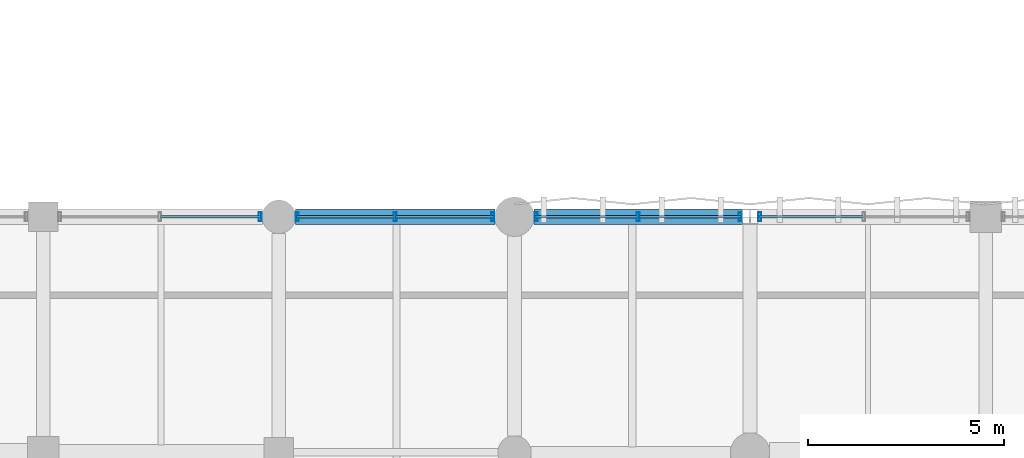
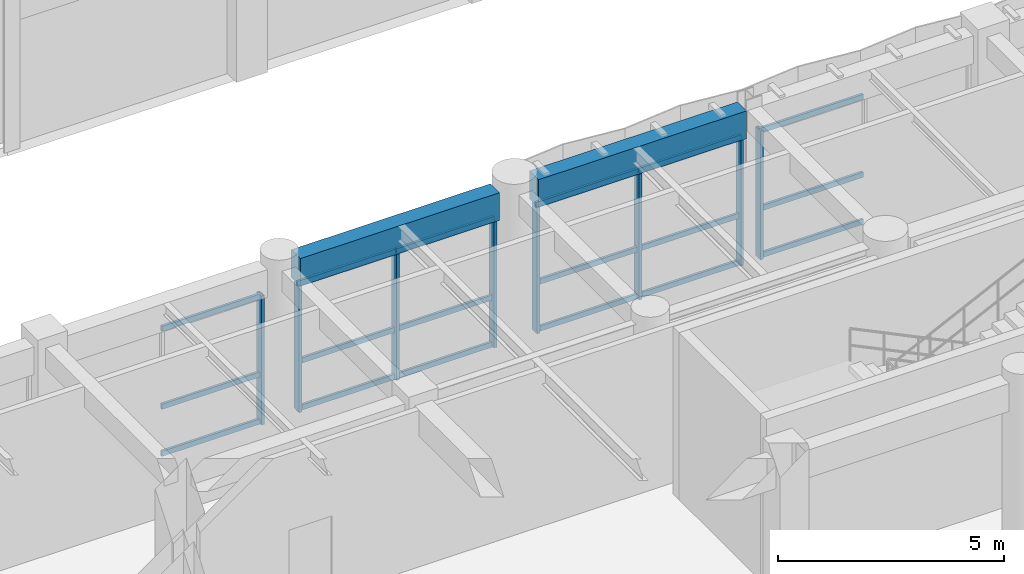
# One storey, part 41 of 133: 26 members, 2 beams, 4 elements without a shape of their own.
"""IFC4 building model written with IfcOpenShell, lengths in metres."""

from ifc_helpers import new_model, si_unit, direction, frame, origin, origin_2d, place, context, subcontext, project, spatial, rectangle, hollow_rectangle, extrude, material, material_profile, profile_set, type_object, element, aggregate, save


model = new_model("IFC4")

# Units and contexts
model_context = context("Model", 3, precision=1e-05, world=origin(), true_north=direction((0.0, 1.0)))
body_context = subcontext(model_context, "Body", "Model", "MODEL_VIEW")
ifc_project = project(units=[si_unit("LENGTHUNIT", "METRE"), si_unit("AREAUNIT", "SQUARE_METRE"), si_unit("VOLUMEUNIT", "CUBIC_METRE"), si_unit("PLANEANGLEUNIT", "RADIAN"), si_unit("MASSUNIT", "GRAM", prefix="KILO"), si_unit("THERMODYNAMICTEMPERATUREUNIT", "KELVIN"), si_unit("POWERUNIT", "WATT")], contexts=[model_context])

# Site, building, storey
site_placement = place(None, origin())
site = spatial("IfcSite", under=ifc_project, at=site_placement, CompositionType="ELEMENT")
building_placement = place(site_placement, origin())
building = spatial("IfcBuilding", under=site, at=building_placement, Name="Phaisarnlok Congress Hotel", CompositionType="ELEMENT")
storey_placement = place(building_placement, frame((0.0, 0.0, 6.0)))
storey = spatial("IfcBuildingStorey", under=building, at=storey_placement, Name="L01", CompositionType="ELEMENT", Elevation=6.0)

# Curtain wall, member
ifc_material_1 = material(Name="Thermally Broken Unitised Aluminium & Low-E Glazing", Category="aluminium")
curtain_wall_type_1 = type_object("IfcCurtainWallType", Name="CW-UNIT-14", PredefinedType="NOTDEFINED", material=ifc_material_1)
curtain_wall_1_placement = place(storey_placement, origin())
curtain_wall_1 = element("IfcCurtainWall", 1, at=curtain_wall_1_placement, inside=storey, type_object=curtain_wall_type_1, Name="Unitised curtain wall CW-14 (L01)", PredefinedType="NOTDEFINED")
ifc_material_2 = material(Name="Anodised Aluminium Alloy 6063-T6", Category="aluminium")
ifc_material_profile_1 = material_profile(ifc_material_2, hollow_rectangle(XDim=0.074951171875, YDim=0.219970703125, WallThickness=0.0048828125, at=origin_2d()), Name="ALU-M 75x220x5")
ifc_profile_set_1 = profile_set([ifc_material_profile_1], Name="Anodised Aluminium Alloy 6063-T6")
member_type_1 = type_object("IfcMemberType", Name="CWM-220", PredefinedType="MULLION", material=ifc_profile_set_1)
member_1_placement = place(storey_placement, frame((78.25048828125, 96.0, 0.0), z_axis=(0.0, 0.0, 1.0), x_axis=(-1.0, 0.0, 0.0)))
member_1 = element("IfcMember", 2, at=member_1_placement, type_object=member_type_1, Name="Curtain wall mullion CWM-02", PredefinedType="MULLION", context=body_context, shape_type="SweptSolid", body=[
    extrude(hollow_rectangle(XDim=0.074951171875, YDim=0.219970703125, WallThickness=0.0048828125, at=origin_2d()), origin(), (0.0, 0.0, 1.0), 3.469970703125),
])

# Curtain wall, members
curtain_wall_type_2 = type_object("IfcCurtainWallType", Name="CW-UNIT-13", PredefinedType="NOTDEFINED", material=ifc_material_1)
curtain_wall_2_placement = place(storey_placement, origin())
curtain_wall_2 = element("IfcCurtainWall", 3, at=curtain_wall_2_placement, inside=storey, type_object=curtain_wall_type_2, Name="Unitised curtain wall CW-13 (L01)", PredefinedType="NOTDEFINED")
member_2_placement = place(storey_placement, frame((77.74951171875, 96.0, 0.0), z_axis=(0.0, 0.0, 1.0), x_axis=(-1.0, 0.0, 0.0)))
member_2 = element("IfcMember", 4, at=member_2_placement, type_object=member_type_1, Name="Curtain wall mullion CWM-02", PredefinedType="MULLION", context=body_context, shape_type="SweptSolid", body=[
    extrude(hollow_rectangle(XDim=0.074951171875, YDim=0.219970703125, WallThickness=0.0048828125, at=origin_2d()), origin(), (0.0, 0.0, 1.0), 3.469970703125),
])
member_3_placement = place(storey_placement, frame((75.149658203125, 96.0, 0.0), z_axis=(0.0, 0.0, 1.0), x_axis=(-1.0, 0.0, 0.0)))
member_3 = element("IfcMember", 5, at=member_3_placement, type_object=member_type_1, Name="Curtain wall mullion CWM-02", PredefinedType="MULLION", context=body_context, shape_type="SweptSolid", body=[
    extrude(hollow_rectangle(XDim=0.074951171875, YDim=0.219970703125, WallThickness=0.0048828125, at=origin_2d()), origin(), (0.0, 0.0, 1.0), 3.469970703125),
])
member_4_placement = place(storey_placement, frame((72.550048828125, 96.0, 0.0), z_axis=(0.0, 0.0, 1.0), x_axis=(-1.0, 0.0, 0.0)))
member_4 = element("IfcMember", 6, at=member_4_placement, type_object=member_type_1, Name="Curtain wall mullion CWM-02", PredefinedType="MULLION", context=body_context, shape_type="SweptSolid", body=[
    extrude(hollow_rectangle(XDim=0.074951171875, YDim=0.219970703125, WallThickness=0.0048828125, at=origin_2d()), origin(), (0.0, 0.0, 1.0), 3.469970703125),
])

curtain_wall_type_3 = type_object("IfcCurtainWallType", Name="CW-UNIT-12", PredefinedType="NOTDEFINED", material=ifc_material_1)
curtain_wall_3_placement = place(storey_placement, origin())
curtain_wall_3 = element("IfcCurtainWall", 7, at=curtain_wall_3_placement, inside=storey, type_object=curtain_wall_type_3, Name="Unitised curtain wall CW-12 (L01)", PredefinedType="NOTDEFINED")
member_5_placement = place(storey_placement, frame((71.449951171875, 96.0, 0.0), z_axis=(0.0, 0.0, 1.0), x_axis=(-1.0, 0.0, 0.0)))
member_5 = element("IfcMember", 8, at=member_5_placement, type_object=member_type_1, Name="Curtain wall mullion CWM-02", PredefinedType="MULLION", context=body_context, shape_type="SweptSolid", body=[
    extrude(hollow_rectangle(XDim=0.074951171875, YDim=0.219970703125, WallThickness=0.0048828125, at=origin_2d()), origin(), (0.0, 0.0, 1.0), 3.469970703125),
])
member_6_placement = place(storey_placement, frame((68.96240234375, 96.0, 0.0), z_axis=(0.0, 0.0, 1.0), x_axis=(-1.0, 0.0, 0.0)))
member_6 = element("IfcMember", 9, at=member_6_placement, type_object=member_type_1, Name="Curtain wall mullion CWM-02", PredefinedType="MULLION", context=body_context, shape_type="SweptSolid", body=[
    extrude(hollow_rectangle(XDim=0.074951171875, YDim=0.219970703125, WallThickness=0.0048828125, at=origin_2d()), origin(), (0.0, 0.0, 1.0), 3.469970703125),
])
member_7_placement = place(storey_placement, frame((66.47509765625, 96.0, 0.0), z_axis=(0.0, 0.0, 1.0), x_axis=(-1.0, 0.0, 0.0)))
member_7 = element("IfcMember", 10, at=member_7_placement, type_object=member_type_1, Name="Curtain wall mullion CWM-02", PredefinedType="MULLION", context=body_context, shape_type="SweptSolid", body=[
    extrude(hollow_rectangle(XDim=0.074951171875, YDim=0.219970703125, WallThickness=0.0048828125, at=origin_2d()), origin(), (0.0, 0.0, 1.0), 3.469970703125),
])

# Curtain wall, member
curtain_wall_type_4 = type_object("IfcCurtainWallType", Name="CW-UNIT-15", PredefinedType="NOTDEFINED", material=ifc_material_1)
curtain_wall_4_placement = place(storey_placement, origin())
curtain_wall_4 = element("IfcCurtainWall", 11, at=curtain_wall_4_placement, inside=storey, type_object=curtain_wall_type_4, Name="Unitised curtain wall CW-15 (L01)", PredefinedType="NOTDEFINED")
member_8_placement = place(storey_placement, frame((65.52490234375, 96.0, 0.0), z_axis=(0.0, 0.0, 1.0), x_axis=(-1.0, 0.0, 0.0)))
member_8 = element("IfcMember", 12, at=member_8_placement, type_object=member_type_1, Name="Curtain wall mullion CWM-02", PredefinedType="MULLION", context=body_context, shape_type="SweptSolid", body=[
    extrude(hollow_rectangle(XDim=0.074951171875, YDim=0.219970703125, WallThickness=0.0048828125, at=origin_2d()), origin(), (0.0, 0.0, 1.0), 3.469970703125),
])

# Member
ifc_material_profile_2 = material_profile(ifc_material_2, hollow_rectangle(XDim=0.06494140625, YDim=0.139892578125, WallThickness=0.00390625, at=origin_2d()), Name="ALU-T 65x140x4")
ifc_profile_set_2 = profile_set([ifc_material_profile_2], Name="Anodised Aluminium Alloy 6063-T6")
member_type_2 = type_object("IfcMemberType", Name="CWT-150", PredefinedType="USERDEFINED", material=ifc_profile_set_2)
member_9_placement = place(storey_placement, frame((80.88525390625, 96.0, 0.050048828125), z_axis=(-1.0, 0.0, 0.0), x_axis=(0.0, -1.0, 0.0)))
member_9 = element("IfcMember", 13, at=member_9_placement, type_object=member_type_2, Name="Curtain wall transom CWT-01", ObjectType="TRANSOM", PredefinedType="USERDEFINED", context=body_context, shape_type="SweptSolid", body=[
    extrude(hollow_rectangle(XDim=0.06494140625, YDim=0.139892578125, WallThickness=0.00390625, at=origin_2d()), origin(), (0.0, 0.0, 1.0), 2.65966796875),
])

member_10_placement = place(storey_placement, frame((80.88525390625, 96.0, 1.318603515625), z_axis=(-1.0, 0.0, 0.0), x_axis=(0.0, -1.0, 0.0)))
member_10 = element("IfcMember", 14, at=member_10_placement, type_object=member_type_2, Name="Curtain wall transom CWT-01", ObjectType="TRANSOM", PredefinedType="USERDEFINED", context=body_context, shape_type="SweptSolid", body=[
    extrude(hollow_rectangle(XDim=0.06494140625, YDim=0.139892578125, WallThickness=0.00390625, at=origin_2d()), origin(), (0.0, 0.0, 1.0), 2.65966796875),
])

member_11_placement = place(storey_placement, frame((80.88525390625, 96.0, 3.419921875), z_axis=(-1.0, 0.0, 0.0), x_axis=(0.0, -1.0, 0.0)))
member_11 = element("IfcMember", 15, at=member_11_placement, type_object=member_type_2, Name="Curtain wall transom CWT-01", ObjectType="TRANSOM", PredefinedType="USERDEFINED", context=body_context, shape_type="SweptSolid", body=[
    extrude(hollow_rectangle(XDim=0.06494140625, YDim=0.139892578125, WallThickness=0.00390625, at=origin_2d()), origin(), (0.0, 0.0, 1.0), 2.65966796875),
])

aggregate(curtain_wall_1, [member_1, member_9, member_10, member_11])

member_12_placement = place(storey_placement, frame((77.7744140625, 96.0, 0.050048828125), z_axis=(-1.0, 0.0, 0.0), x_axis=(0.0, -1.0, 0.0)))
member_12 = element("IfcMember", 16, at=member_12_placement, type_object=member_type_2, Name="Curtain wall transom CWT-01", ObjectType="TRANSOM", PredefinedType="USERDEFINED", context=body_context, shape_type="SweptSolid", body=[
    extrude(hollow_rectangle(XDim=0.06494140625, YDim=0.139892578125, WallThickness=0.00390625, at=origin_2d()), origin(), (0.0, 0.0, 1.0), 2.609619140625),
])

member_13_placement = place(storey_placement, frame((77.7744140625, 96.0, 1.318603515625), z_axis=(-1.0, 0.0, 0.0), x_axis=(0.0, -1.0, 0.0)))
member_13 = element("IfcMember", 17, at=member_13_placement, type_object=member_type_2, Name="Curtain wall transom CWT-01", ObjectType="TRANSOM", PredefinedType="USERDEFINED", context=body_context, shape_type="SweptSolid", body=[
    extrude(hollow_rectangle(XDim=0.06494140625, YDim=0.139892578125, WallThickness=0.00390625, at=origin_2d()), origin(), (0.0, 0.0, 1.0), 2.609619140625),
])

member_14_placement = place(storey_placement, frame((77.7744140625, 96.0, 3.419921875), z_axis=(-1.0, 0.0, 0.0), x_axis=(0.0, -1.0, 0.0)))
member_14 = element("IfcMember", 18, at=member_14_placement, type_object=member_type_2, Name="Curtain wall transom CWT-01", ObjectType="TRANSOM", PredefinedType="USERDEFINED", context=body_context, shape_type="SweptSolid", body=[
    extrude(hollow_rectangle(XDim=0.06494140625, YDim=0.139892578125, WallThickness=0.00390625, at=origin_2d()), origin(), (0.0, 0.0, 1.0), 2.609619140625),
])

member_15_placement = place(storey_placement, frame((75.134765625, 96.0, 0.050048828125), z_axis=(-1.0, 0.0, 0.0), x_axis=(0.0, -1.0, 0.0)))
member_15 = element("IfcMember", 19, at=member_15_placement, type_object=member_type_2, Name="Curtain wall transom CWT-01", ObjectType="TRANSOM", PredefinedType="USERDEFINED", context=body_context, shape_type="SweptSolid", body=[
    extrude(hollow_rectangle(XDim=0.06494140625, YDim=0.139892578125, WallThickness=0.00390625, at=origin_2d()), origin(), (0.0, 0.0, 1.0), 2.60986328125),
])

member_16_placement = place(storey_placement, frame((75.134765625, 96.0, 1.318603515625), z_axis=(-1.0, 0.0, 0.0), x_axis=(0.0, -1.0, 0.0)))
member_16 = element("IfcMember", 20, at=member_16_placement, type_object=member_type_2, Name="Curtain wall transom CWT-01", ObjectType="TRANSOM", PredefinedType="USERDEFINED", context=body_context, shape_type="SweptSolid", body=[
    extrude(hollow_rectangle(XDim=0.06494140625, YDim=0.139892578125, WallThickness=0.00390625, at=origin_2d()), origin(), (0.0, 0.0, 1.0), 2.60986328125),
])

member_17_placement = place(storey_placement, frame((75.134765625, 96.0, 3.419921875), z_axis=(-1.0, 0.0, 0.0), x_axis=(0.0, -1.0, 0.0)))
member_17 = element("IfcMember", 21, at=member_17_placement, type_object=member_type_2, Name="Curtain wall transom CWT-01", ObjectType="TRANSOM", PredefinedType="USERDEFINED", context=body_context, shape_type="SweptSolid", body=[
    extrude(hollow_rectangle(XDim=0.06494140625, YDim=0.139892578125, WallThickness=0.00390625, at=origin_2d()), origin(), (0.0, 0.0, 1.0), 2.60986328125),
])

aggregate(curtain_wall_2, [member_2, member_3, member_4, member_12, member_13, member_14, member_15, member_16, member_17])

member_18_placement = place(storey_placement, frame((71.47509765625, 96.0, 0.050048828125), z_axis=(-1.0, 0.0, 0.0), x_axis=(0.0, -1.0, 0.0)))
member_18 = element("IfcMember", 22, at=member_18_placement, type_object=member_type_2, Name="Curtain wall transom CWT-01", ObjectType="TRANSOM", PredefinedType="USERDEFINED", context=body_context, shape_type="SweptSolid", body=[
    extrude(hollow_rectangle(XDim=0.06494140625, YDim=0.139892578125, WallThickness=0.00390625, at=origin_2d()), origin(), (0.0, 0.0, 1.0), 2.49755859375),
])

member_19_placement = place(storey_placement, frame((71.47509765625, 96.0, 1.318603515625), z_axis=(-1.0, 0.0, 0.0), x_axis=(0.0, -1.0, 0.0)))
member_19 = element("IfcMember", 23, at=member_19_placement, type_object=member_type_2, Name="Curtain wall transom CWT-01", ObjectType="TRANSOM", PredefinedType="USERDEFINED", context=body_context, shape_type="SweptSolid", body=[
    extrude(hollow_rectangle(XDim=0.06494140625, YDim=0.139892578125, WallThickness=0.00390625, at=origin_2d()), origin(), (0.0, 0.0, 1.0), 2.49755859375),
])

member_20_placement = place(storey_placement, frame((71.47509765625, 96.0, 3.419921875), z_axis=(-1.0, 0.0, 0.0), x_axis=(0.0, -1.0, 0.0)))
member_20 = element("IfcMember", 24, at=member_20_placement, type_object=member_type_2, Name="Curtain wall transom CWT-01", ObjectType="TRANSOM", PredefinedType="USERDEFINED", context=body_context, shape_type="SweptSolid", body=[
    extrude(hollow_rectangle(XDim=0.06494140625, YDim=0.139892578125, WallThickness=0.00390625, at=origin_2d()), origin(), (0.0, 0.0, 1.0), 2.49755859375),
])

member_21_placement = place(storey_placement, frame((68.947509765625, 96.0, 0.050048828125), z_axis=(-1.0, 0.0, 0.0), x_axis=(0.0, -1.0, 0.0)))
member_21 = element("IfcMember", 25, at=member_21_placement, type_object=member_type_2, Name="Curtain wall transom CWT-01", ObjectType="TRANSOM", PredefinedType="USERDEFINED", context=body_context, shape_type="SweptSolid", body=[
    extrude(hollow_rectangle(XDim=0.06494140625, YDim=0.139892578125, WallThickness=0.00390625, at=origin_2d()), origin(), (0.0, 0.0, 1.0), 2.49755859375),
])

member_22_placement = place(storey_placement, frame((68.947509765625, 96.0, 1.318603515625), z_axis=(-1.0, 0.0, 0.0), x_axis=(0.0, -1.0, 0.0)))
member_22 = element("IfcMember", 26, at=member_22_placement, type_object=member_type_2, Name="Curtain wall transom CWT-01", ObjectType="TRANSOM", PredefinedType="USERDEFINED", context=body_context, shape_type="SweptSolid", body=[
    extrude(hollow_rectangle(XDim=0.06494140625, YDim=0.139892578125, WallThickness=0.00390625, at=origin_2d()), origin(), (0.0, 0.0, 1.0), 2.49755859375),
])

member_23_placement = place(storey_placement, frame((68.947509765625, 96.0, 3.419921875), z_axis=(-1.0, 0.0, 0.0), x_axis=(0.0, -1.0, 0.0)))
member_23 = element("IfcMember", 27, at=member_23_placement, type_object=member_type_2, Name="Curtain wall transom CWT-01", ObjectType="TRANSOM", PredefinedType="USERDEFINED", context=body_context, shape_type="SweptSolid", body=[
    extrude(hollow_rectangle(XDim=0.06494140625, YDim=0.139892578125, WallThickness=0.00390625, at=origin_2d()), origin(), (0.0, 0.0, 1.0), 2.49755859375),
])

aggregate(curtain_wall_3, [member_5, member_6, member_7, member_18, member_19, member_20, member_21, member_22, member_23])

member_24_placement = place(storey_placement, frame((65.550048828125, 96.0, 0.050048828125), z_axis=(-1.0, 0.0, 0.0), x_axis=(0.0, -1.0, 0.0)))
member_24 = element("IfcMember", 28, at=member_24_placement, type_object=member_type_2, Name="Curtain wall transom CWT-01", ObjectType="TRANSOM", PredefinedType="USERDEFINED", context=body_context, shape_type="SweptSolid", body=[
    extrude(hollow_rectangle(XDim=0.06494140625, YDim=0.139892578125, WallThickness=0.00390625, at=origin_2d()), origin(), (0.0, 0.0, 1.0), 2.56005859375),
])

member_25_placement = place(storey_placement, frame((65.550048828125, 96.0, 1.318603515625), z_axis=(-1.0, 0.0, 0.0), x_axis=(0.0, -1.0, 0.0)))
member_25 = element("IfcMember", 29, at=member_25_placement, type_object=member_type_2, Name="Curtain wall transom CWT-01", ObjectType="TRANSOM", PredefinedType="USERDEFINED", context=body_context, shape_type="SweptSolid", body=[
    extrude(hollow_rectangle(XDim=0.06494140625, YDim=0.139892578125, WallThickness=0.00390625, at=origin_2d()), origin(), (0.0, 0.0, 1.0), 2.56005859375),
])

member_26_placement = place(storey_placement, frame((65.550048828125, 96.0, 3.419921875), z_axis=(-1.0, 0.0, 0.0), x_axis=(0.0, -1.0, 0.0)))
member_26 = element("IfcMember", 30, at=member_26_placement, type_object=member_type_2, Name="Curtain wall transom CWT-01", ObjectType="TRANSOM", PredefinedType="USERDEFINED", context=body_context, shape_type="SweptSolid", body=[
    extrude(hollow_rectangle(XDim=0.06494140625, YDim=0.139892578125, WallThickness=0.00390625, at=origin_2d()), origin(), (0.0, 0.0, 1.0), 2.56005859375),
])

aggregate(curtain_wall_4, [member_8, member_24, member_25, member_26])

# Beams
ifc_material_3 = material(Name="Concrete C40/50", Category="concrete")
ifc_material_profile_3 = material_profile(ifc_material_3, rectangle(XDim=0.39990234375, YDim=0.75, at=origin_2d()), Name="RC 400x750")
ifc_profile_set_3 = profile_set([ifc_material_profile_3], Name="Concrete C40/50")
beam_type = type_object("IfcBeamType", Name="SP-RC-400x750", PredefinedType="SPANDREL", material=ifc_profile_set_3)
beam_1_placement = place(storey_placement, frame((66.419921875, 96.0, 3.844970703125), z_axis=(1.0, 0.0, 0.0), x_axis=(0.0, 1.0, 0.0)))
element("IfcBeam", 31, at=beam_1_placement, inside=storey, type_object=beam_type, Name="Beam SP-02", PredefinedType="SPANDREL", context=body_context, shape_type="SweptSolid", body=[
    extrude(rectangle(XDim=0.39990234375, YDim=0.75, at=origin_2d()), origin(), (0.0, 0.0, 1.0), 5.0849609375),
])
beam_2_placement = place(storey_placement, frame((72.4951171875, 96.0, 3.844970703125), z_axis=(1.0, 0.0, 0.0), x_axis=(0.0, 1.0, 0.0)))
element("IfcBeam", 32, at=beam_2_placement, inside=storey, type_object=beam_type, Name="Beam SP-02", PredefinedType="SPANDREL", context=body_context, shape_type="SweptSolid", body=[
    extrude(rectangle(XDim=0.39990234375, YDim=0.75, at=origin_2d()), origin(), (0.0, 0.0, 1.0), 5.309326171875),
])

save(model, "model.ifc")
